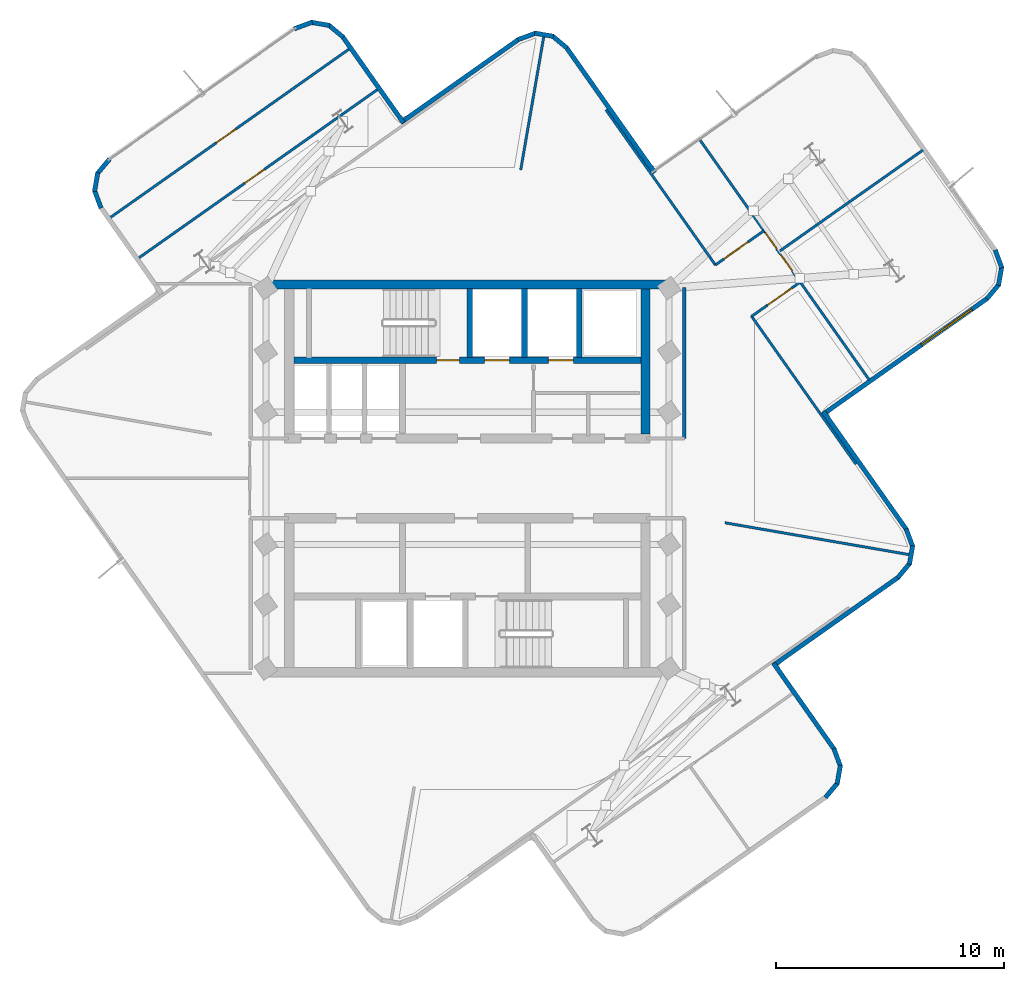
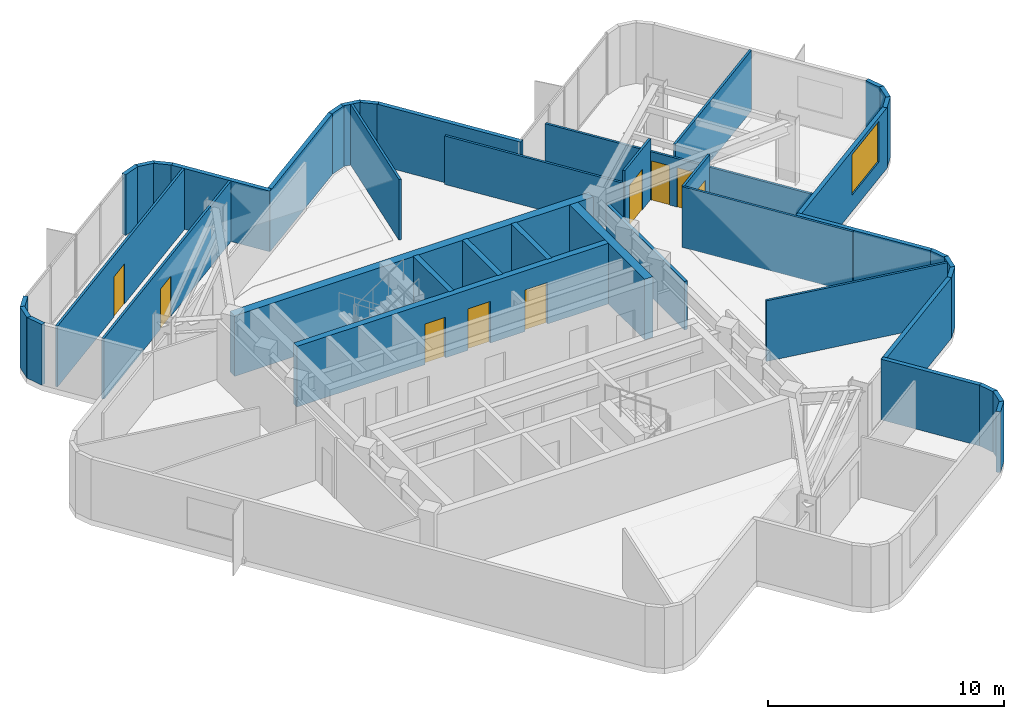
# One storey, part 5 of 8: 42 walls, 9 doors, 1 window, 10 openings.
"""IFC4 building model written with IfcOpenShell, lengths in metres."""

from ifc_helpers import new_model, si_unit, direction, frame, frame_2d, origin, place, context, subcontext, project, spatial, rectangle, extrude, material, layer, layer_set, type_object, element, fill, save


model = new_model("IFC4")

# Units and contexts
model_context = context("Model", 3, precision=1e-05, world=origin(), true_north=direction((0.0, 1.0)))
body_context = subcontext(model_context, "Body", "Model", "MODEL_VIEW")
ifc_project = project(units=[si_unit("LENGTHUNIT", "METRE"), si_unit("AREAUNIT", "SQUARE_METRE"), si_unit("VOLUMEUNIT", "CUBIC_METRE"), si_unit("PLANEANGLEUNIT", "RADIAN"), si_unit("MASSUNIT", "GRAM", prefix="KILO")], contexts=[model_context])

# Site, building, storey
site_placement = place(None, origin())
site = spatial("IfcSite", under=ifc_project, at=site_placement, CompositionType="ELEMENT")
building_placement = place(site_placement, origin())
building = spatial("IfcBuilding", under=site, at=building_placement, Name="Solmarez Civic Tower", CompositionType="ELEMENT")
storey_placement = place(building_placement, frame((0.0, 0.0, 225.719970703125)))
storey = spatial("IfcBuildingStorey", under=building, at=storey_placement, Name="L60", CompositionType="ELEMENT", Elevation=225.719970703125)

# Walls
ifc_material_1 = material(Name="Concrete C50/60", Category="concrete")
ifc_layer_1 = layer(ifc_material_1, 0.39990234375)
ifc_layer_set_1 = layer_set([ifc_layer_1], Name="Concrete C50/60")
wall_type_1 = type_object("IfcWallType", Name="WALL-CORE-400", PredefinedType="SHEAR", material=ifc_layer_set_1)
wall_1_placement = place(storey_placement, frame((-8.780029296875, 8.510009765625, 0.0), z_axis=(0.0, 0.0, 1.0), x_axis=(1.0, 0.0, 0.0)))
element("IfcWall", 1, at=wall_1_placement, inside=storey, type_object=wall_type_1, Name="L60 Split-Core Structural Wall NCW-N-L60", PredefinedType="SHEAR", context=body_context, shape_type="SweptSolid", body=[
    extrude(rectangle(XDim=17.56005859375, YDim=0.39990234375, at=frame_2d((8.780029296875, 0.0))), origin(), (0.0, 0.0, 1.0), 3.14013671875),
])
wall_2_placement = place(storey_placement, frame((7.820068359375, 8.31005859375, 0.0), z_axis=(0.0, 0.0, 1.0), x_axis=(0.0, -1.0, 0.0)))
element("IfcWall", 2, at=wall_2_placement, inside=storey, type_object=wall_type_1, Name="L60 Split-Core Structural Wall NCW-E-L60", PredefinedType="SHEAR", context=body_context, shape_type="SweptSolid", body=[
    extrude(rectangle(XDim=6.360107421875, YDim=0.39990234375, at=frame_2d((3.18017578125, 0.0))), origin(), (0.0, 0.0, 1.0), 3.14013671875),
])
ifc_material_2 = material(Name="Precast concrete C40/50", Category="concrete")
ifc_layer_2 = layer(ifc_material_2, 0.199951171875)
ifc_layer_set_2 = layer_set([ifc_layer_2], Name="Precast concrete C40/50")
wall_type_2 = type_object("IfcWallType", Name="WALL-EXT-200", PredefinedType="SOLIDWALL", material=ifc_layer_set_2)
wall_3_placement = place(storey_placement, frame((-16.083984375, 11.860107421875, 0.0), z_axis=(0.0, 0.0, 1.0), x_axis=(-0.346232030844, 0.938148911857, 0.0)))
element("IfcWall", 3, at=wall_3_placement, inside=storey, type_object=wall_type_2, Name="L60 Exterior Precast Wall 14", PredefinedType="SOLIDWALL", context=body_context, shape_type="SweptSolid", body=[
    extrude(rectangle(XDim=0.837646484375, YDim=0.199951171875, at=frame_2d((0.4189453125, 0.0))), origin(), (0.0, 0.0, 1.0), 3.14013671875),
])
wall_4_placement = place(storey_placement, frame((-16.368896484375, 12.597900390625, 0.0), z_axis=(0.0, 0.0, 1.0), x_axis=(0.169332910212, 0.985558910223, 0.0)))
element("IfcWall", 4, at=wall_4_placement, inside=storey, type_object=wall_type_2, Name="L60 Exterior Precast Wall 15", PredefinedType="SOLIDWALL", context=body_context, shape_type="SweptSolid", body=[
    extrude(rectangle(XDim=0.826171875, YDim=0.199951171875, at=frame_2d((0.4130859375, 0.0))), origin(), (0.0, 0.0, 1.0), 3.14013671875),
])
wall_5_placement = place(storey_placement, frame((-16.2490234375, 13.367919921875, 0.0), z_axis=(0.0, 0.0, 1.0), x_axis=(0.641043819012, 0.76750428149, 0.0)))
element("IfcWall", 5, at=wall_5_placement, inside=storey, type_object=wall_type_2, Name="L60 Exterior Precast Wall 16", PredefinedType="SOLIDWALL", context=body_context, shape_type="SweptSolid", body=[
    extrude(rectangle(XDim=0.837890625, YDim=0.199951171875, at=frame_2d((0.4189453125, 0.0))), origin(), (0.0, 0.0, 1.0), 3.14013671875),
])
wall_6_placement = place(storey_placement, frame((-7.60107421875, 19.73193359375, 0.0), z_axis=(0.0, 0.0, 1.0), x_axis=(0.937664324164, 0.347542249504, 0.0)))
element("IfcWall", 6, at=wall_6_placement, inside=storey, type_object=wall_type_2, Name="L60 Exterior Precast Wall 18", PredefinedType="SOLIDWALL", context=body_context, shape_type="SweptSolid", body=[
    extrude(rectangle(XDim=0.83740234375, YDim=0.199951171875, at=frame_2d((0.418701171875, 0.0))), origin(), (0.0, 0.0, 1.0), 3.14013671875),
])
wall_7_placement = place(storey_placement, frame((-6.864013671875, 20.01806640625, 0.0), z_axis=(0.0, 0.0, 1.0), x_axis=(0.985501046628, -0.16966934636, 0.0)))
element("IfcWall", 7, at=wall_7_placement, inside=storey, type_object=wall_type_2, Name="L60 Exterior Precast Wall 19", PredefinedType="SOLIDWALL", context=body_context, shape_type="SweptSolid", body=[
    extrude(rectangle(XDim=0.825927734375, YDim=0.199951171875, at=frame_2d((0.4130859375, 0.0))), origin(), (0.0, 0.0, 1.0), 3.14013671875),
])
wall_8_placement = place(storey_placement, frame((-6.093994140625, 19.89794921875, 0.0), z_axis=(0.0, 0.0, 1.0), x_axis=(0.767647650908, -0.640872127694, 0.0)))
element("IfcWall", 8, at=wall_8_placement, inside=storey, type_object=wall_type_2, Name="L60 Exterior Precast Wall 20", PredefinedType="SOLIDWALL", context=body_context, shape_type="SweptSolid", body=[
    extrude(rectangle(XDim=0.837646484375, YDim=0.199951171875, at=frame_2d((0.4189453125, 0.0))), origin(), (0.0, 0.0, 1.0), 3.14013671875),
])
wall_9_placement = place(storey_placement, frame((-5.48388671875, 19.39697265625, 0.0), z_axis=(0.0, 0.0, 1.0), x_axis=(0.576451897958, -0.817131084551, 0.0)))
element("IfcWall", 9, at=wall_9_placement, inside=storey, type_object=wall_type_2, Name="L60 Exterior Precast Wall 21", PredefinedType="SOLIDWALL", context=body_context, shape_type="SweptSolid", body=[
    extrude(rectangle(XDim=4.641845703125, YDim=0.199951171875, at=frame_2d((2.32080078125, 0.0))), origin(), (0.0, 0.0, 1.0), 3.14013671875),
])
wall_10_placement = place(storey_placement, frame((-2.9189453125, 15.623046875, 0.0), z_axis=(0.0, 0.0, 1.0), x_axis=(0.817050016192, 0.576566796686, 0.0)))
element("IfcWall", 10, at=wall_10_placement, inside=storey, type_object=wall_type_2, Name="L60 Exterior Precast Wall 24", PredefinedType="SOLIDWALL", context=body_context, shape_type="SweptSolid", body=[
    extrude(rectangle(XDim=6.341064453125, YDim=0.199951171875, at=frame_2d((3.17041015625, 0.0))), origin(), (0.0, 0.0, 1.0), 3.14013671875),
])
wall_11_placement = place(storey_placement, frame((2.218994140625, 19.256103515625, 0.0), z_axis=(0.0, 0.0, 1.0), x_axis=(0.938243551417, 0.345975487894, 0.0)))
element("IfcWall", 11, at=wall_11_placement, inside=storey, type_object=wall_type_2, Name="L60 Exterior Precast Wall 25", PredefinedType="SOLIDWALL", context=body_context, shape_type="SweptSolid", body=[
    extrude(rectangle(XDim=0.837646484375, YDim=0.199951171875, at=frame_2d((0.4189453125, 0.0))), origin(), (0.0, 0.0, 1.0), 3.14013671875),
])
wall_12_placement = place(storey_placement, frame((2.95703125, 19.541015625, 0.0), z_axis=(0.0, 0.0, 1.0), x_axis=(0.985466949497, -0.169867275979, 0.0)))
element("IfcWall", 12, at=wall_12_placement, inside=storey, type_object=wall_type_2, Name="L60 Exterior Precast Wall 26", PredefinedType="SOLIDWALL", context=body_context, shape_type="SweptSolid", body=[
    extrude(rectangle(XDim=0.824951171875, YDim=0.199951171875, at=frame_2d((0.41259765625, 0.0))), origin(), (0.0, 0.0, 1.0), 3.14013671875),
])
wall_13_placement = place(storey_placement, frame((3.72607421875, 19.4208984375, 0.0), z_axis=(0.0, 0.0, 1.0), x_axis=(0.768698761673, -0.639610986305, 0.0)))
element("IfcWall", 13, at=wall_13_placement, inside=storey, type_object=wall_type_2, Name="L60 Exterior Precast Wall 27", PredefinedType="SOLIDWALL", context=body_context, shape_type="SweptSolid", body=[
    extrude(rectangle(XDim=0.837890625, YDim=0.199951171875, at=frame_2d((0.4189453125, 0.0))), origin(), (0.0, 0.0, 1.0), 3.14013671875),
])
wall_14_placement = place(storey_placement, frame((4.3369140625, 18.9208984375, 0.0), z_axis=(0.0, 0.0, 1.0), x_axis=(0.576400163196, -0.817167578816, 0.0)))
element("IfcWall", 14, at=wall_14_placement, inside=storey, type_object=wall_type_2, Name="L60 Exterior Precast Wall 28", PredefinedType="SOLIDWALL", context=body_context, shape_type="SweptSolid", body=[
    extrude(rectangle(XDim=6.740234375, YDim=0.199951171875, at=frame_2d((3.3701171875, 0.0))), origin(), (0.0, 0.0, 1.0), 3.14013671875),
])
wall_15_placement = place(storey_placement, frame((23.1640625, 10.02197265625, 0.0), z_axis=(0.0, 0.0, 1.0), x_axis=(0.347637287427, -0.937629093187, 0.0)))
element("IfcWall", 15, at=wall_15_placement, inside=storey, type_object=wall_type_2, Name="L60 Exterior Precast Wall 36", PredefinedType="SOLIDWALL", context=body_context, shape_type="SweptSolid", body=[
    extrude(rectangle(XDim=0.837158203125, YDim=0.199951171875, at=frame_2d((0.41845703125, 0.0))), origin(), (0.0, 0.0, 1.0), 3.14013671875),
])
wall_16_placement = place(storey_placement, frame((23.449951171875, 9.284912109375, 0.0), z_axis=(0.0, 0.0, 1.0), x_axis=(-0.169382242965, -0.985550432889, 0.0)))
element("IfcWall", 16, at=wall_16_placement, inside=storey, type_object=wall_type_2, Name="L60 Exterior Precast Wall 37", PredefinedType="SOLIDWALL", context=body_context, shape_type="SweptSolid", body=[
    extrude(rectangle(XDim=0.825927734375, YDim=0.199951171875, at=frame_2d((0.4130859375, 0.0))), origin(), (0.0, 0.0, 1.0), 3.14013671875),
])
wall_17_placement = place(storey_placement, frame((23.330078125, 8.514892578125, 0.0), z_axis=(0.0, 0.0, 1.0), x_axis=(-0.641187201728, -0.767384500977, 0.0)))
element("IfcWall", 17, at=wall_17_placement, inside=storey, type_object=wall_type_2, Name="L60 Exterior Precast Wall 38", PredefinedType="SOLIDWALL", context=body_context, shape_type="SweptSolid", body=[
    extrude(rectangle(XDim=0.837646484375, YDim=0.199951171875, at=frame_2d((0.4189453125, 0.0))), origin(), (0.0, 0.0, 1.0), 3.14013671875),
])

# Wall, opening, window
wall_18_placement = place(storey_placement, frame((22.8291015625, 7.905029296875, 0.0), z_axis=(0.0, 0.0, 1.0), x_axis=(-0.817135410946, -0.576445765166, 0.0)))
wall_18 = element("IfcWall", 18, at=wall_18_placement, inside=storey, type_object=wall_type_2, Name="L60 Exterior Precast Wall 39", PredefinedType="SOLIDWALL", context=body_context, shape_type="SweptSolid", body=[
    extrude(rectangle(XDim=8.842041015625, YDim=0.199951171875, at=frame_2d((4.4208984375, 0.0))), origin(), (0.0, 0.0, 1.0), 3.14013671875),
])
opening_1_placement = place(wall_18_placement, frame((0.85009765625, 0.0, 0.85009765625)))
opening_1 = element("IfcOpeningElement", 19, at=opening_1_placement, cuts=wall_18, Name="Opening W-01", PredefinedType="OPENING", context=body_context, shape_type="SweptSolid", body=[
    extrude(rectangle(XDim=2.699951171875, YDim=2.10009765625, at=frame_2d((1.35009765625, 1.050048828125))), frame((0.0, 0.10986328125, 0.0), z_axis=(0.0, -1.0, 0.0), x_axis=(1.0, 0.0, 0.0)), (0.0, 0.0, 1.0), 0.219970703125),
])
ifc_material_3 = material(Name="Solar Control Bronze-Tinted Insulating Glass", Category="glass")
window_type = type_object("IfcWindowType", Name="WIN-2700X2100", PartitioningType="SINGLE_PANEL", PredefinedType="WINDOW", material=ifc_material_3)
window_placement = place(opening_1_placement, origin())
window = element("IfcWindow", 20, at=window_placement, inside=storey, type_object=window_type, Name="L60 Exterior Facade Window 39", OverallHeight=2.10009765625, OverallWidth=2.699951171875, PartitioningType="SINGLE_PANEL", PredefinedType="WINDOW", context=body_context, shape_type="SweptSolid", body=[
    extrude(rectangle(XDim=2.699951171875, YDim=2.10009765625, at=frame_2d((1.35009765625, 1.050048828125))), frame((0.0, 0.030029296875, 0.0), z_axis=(0.0, -1.0, 0.0), x_axis=(1.0, 0.0, 0.0)), (0.0, 0.0, 1.0), 0.06005859375),
])
fill(opening_1, window)

# Walls
wall_19_placement = place(storey_placement, frame((15.623046875, 2.9189453125, 0.0), z_axis=(0.0, 0.0, 1.0), x_axis=(0.576566796686, -0.817050016192, 0.0)))
element("IfcWall", 21, at=wall_19_placement, inside=storey, type_object=wall_type_2, Name="L60 Exterior Precast Wall 42", PredefinedType="SOLIDWALL", context=body_context, shape_type="SweptSolid", body=[
    extrude(rectangle(XDim=6.341064453125, YDim=0.199951171875, at=frame_2d((3.17041015625, 0.0))), origin(), (0.0, 0.0, 1.0), 3.14013671875),
])
wall_20_placement = place(storey_placement, frame((19.256103515625, -2.218994140625, 0.0), z_axis=(0.0, 0.0, 1.0), x_axis=(0.345975487894, -0.938243551417, 0.0)))
element("IfcWall", 22, at=wall_20_placement, inside=storey, type_object=wall_type_2, Name="L60 Exterior Precast Wall 43", PredefinedType="SOLIDWALL", context=body_context, shape_type="SweptSolid", body=[
    extrude(rectangle(XDim=0.837646484375, YDim=0.199951171875, at=frame_2d((0.4189453125, 0.0))), origin(), (0.0, 0.0, 1.0), 3.14013671875),
])
wall_21_placement = place(storey_placement, frame((19.541015625, -2.95703125, 0.0), z_axis=(0.0, 0.0, 1.0), x_axis=(-0.169867275979, -0.985466949497, 0.0)))
element("IfcWall", 23, at=wall_21_placement, inside=storey, type_object=wall_type_2, Name="L60 Exterior Precast Wall 44", PredefinedType="SOLIDWALL", context=body_context, shape_type="SweptSolid", body=[
    extrude(rectangle(XDim=0.824951171875, YDim=0.199951171875, at=frame_2d((0.41259765625, 0.0))), origin(), (0.0, 0.0, 1.0), 3.14013671875),
])
wall_22_placement = place(storey_placement, frame((19.4208984375, -3.72607421875, 0.0), z_axis=(0.0, 0.0, 1.0), x_axis=(-0.639610986305, -0.768698761673, 0.0)))
element("IfcWall", 24, at=wall_22_placement, inside=storey, type_object=wall_type_2, Name="L60 Exterior Precast Wall 45", PredefinedType="SOLIDWALL", context=body_context, shape_type="SweptSolid", body=[
    extrude(rectangle(XDim=0.837890625, YDim=0.199951171875, at=frame_2d((0.4189453125, 0.0))), origin(), (0.0, 0.0, 1.0), 3.14013671875),
])
wall_23_placement = place(storey_placement, frame((18.9208984375, -4.3369140625, 0.0), z_axis=(0.0, 0.0, 1.0), x_axis=(-0.817167578816, -0.576400163196, 0.0)))
element("IfcWall", 25, at=wall_23_placement, inside=storey, type_object=wall_type_2, Name="L60 Exterior Precast Wall 46", PredefinedType="SOLIDWALL", context=body_context, shape_type="SweptSolid", body=[
    extrude(rectangle(XDim=6.740234375, YDim=0.199951171875, at=frame_2d((3.3701171875, 0.0))), origin(), (0.0, 0.0, 1.0), 3.14013671875),
])
wall_24_placement = place(storey_placement, frame((13.431884765625, -8.111083984375, 0.0), z_axis=(0.0, 0.0, 1.0), x_axis=(0.576445639344, -0.817135499707, 0.0)))
element("IfcWall", 26, at=wall_24_placement, inside=storey, type_object=wall_type_2, Name="L60 Exterior Precast Wall 49", PredefinedType="SOLIDWALL", context=body_context, shape_type="SweptSolid", body=[
    extrude(rectangle(XDim=4.640625, YDim=0.199951171875, at=frame_2d((2.3203125, 0.0))), origin(), (0.0, 0.0, 1.0), 3.14013671875),
])
wall_25_placement = place(storey_placement, frame((16.083984375, -11.860107421875, 0.0), z_axis=(0.0, 0.0, 1.0), x_axis=(0.346232030844, -0.938148911857, 0.0)))
element("IfcWall", 27, at=wall_25_placement, inside=storey, type_object=wall_type_2, Name="L60 Exterior Precast Wall 50", PredefinedType="SOLIDWALL", context=body_context, shape_type="SweptSolid", body=[
    extrude(rectangle(XDim=0.837646484375, YDim=0.199951171875, at=frame_2d((0.4189453125, 0.0))), origin(), (0.0, 0.0, 1.0), 3.14013671875),
])
wall_26_placement = place(storey_placement, frame((16.368896484375, -12.597900390625, 0.0), z_axis=(0.0, 0.0, 1.0), x_axis=(-0.169332910212, -0.985558910223, 0.0)))
element("IfcWall", 28, at=wall_26_placement, inside=storey, type_object=wall_type_2, Name="L60 Exterior Precast Wall 51", PredefinedType="SOLIDWALL", context=body_context, shape_type="SweptSolid", body=[
    extrude(rectangle(XDim=0.826171875, YDim=0.199951171875, at=frame_2d((0.4130859375, 0.0))), origin(), (0.0, 0.0, 1.0), 3.14013671875),
])
wall_27_placement = place(storey_placement, frame((16.2490234375, -13.367919921875, 0.0), z_axis=(0.0, 0.0, 1.0), x_axis=(-0.641043819012, -0.76750428149, 0.0)))
element("IfcWall", 29, at=wall_27_placement, inside=storey, type_object=wall_type_2, Name="L60 Exterior Precast Wall 52", PredefinedType="SOLIDWALL", context=body_context, shape_type="SweptSolid", body=[
    extrude(rectangle(XDim=0.837890625, YDim=0.199951171875, at=frame_2d((0.4189453125, 0.0))), origin(), (0.0, 0.0, 1.0), 3.14013671875),
])
ifc_material_4 = material(Name="Gypsum Board Acoustic Steel-Stud Partition", Category="steel")
ifc_layer_3 = layer(ifc_material_4, 0.14990234375)
ifc_layer_set_3 = layer_set([ifc_layer_3], Name="Gypsum Board Acoustic Steel-Stud Partition")
wall_type_3 = type_object("IfcWallType", Name="WALL-INT-FIRE-150", PredefinedType="PARTITIONING", material=ifc_layer_set_3)
wall_28_placement = place(storey_placement, frame((9.52001953125, 1.75, 0.0), z_axis=(0.0, 0.0, 1.0), x_axis=(0.0, 1.0, 0.0)))
element("IfcWall", 30, at=wall_28_placement, inside=storey, type_object=wall_type_3, Name="L60 Interior Partition CHW-L60-EN1", PredefinedType="PARTITIONING", context=body_context, shape_type="SweptSolid", body=[
    extrude(rectangle(XDim=6.6298828125, YDim=0.14990234375, at=frame_2d((3.31494140625, 0.0))), origin(), (0.0, 0.0, 1.0), 2.510009765625),
])
ifc_layer_4 = layer(ifc_material_4, 0.110107421875)
ifc_layer_set_4 = layer_set([ifc_layer_4], Name="Gypsum Board Acoustic Steel-Stud Partition")
wall_type_4 = type_object("IfcWallType", Name="WALL-INT-PART-110", PredefinedType="PARTITIONING", material=ifc_layer_set_4)
wall_29_placement = place(storey_placement, frame((2.337890625, 13.5400390625, 0.0), z_axis=(0.0, 0.0, 1.0), x_axis=(0.1703339471, 0.9853863945, 0.0)))
element("IfcWall", 31, at=wall_29_placement, inside=storey, type_object=wall_type_4, Name="L60 Interior Partition PT-L60-QDIV-1", PredefinedType="PARTITIONING", context=body_context, shape_type="SweptSolid", body=[
    extrude(rectangle(XDim=5.953857421875, YDim=0.110107421875, at=frame_2d((2.97705078125, 0.0))), origin(), (0.0, 0.0, 1.0), 3.14013671875),
])
wall_30_placement = place(storey_placement, frame((11.300048828125, -1.950927734375, 0.0), z_axis=(0.0, 0.0, 1.0), x_axis=(0.985391330126, -0.170305391905, 0.0)))
element("IfcWall", 32, at=wall_30_placement, inside=storey, type_object=wall_type_4, Name="L60 Interior Partition PT-L60-QDIV-4", PredefinedType="PARTITIONING", context=body_context, shape_type="SweptSolid", body=[
    extrude(rectangle(XDim=8.22705078125, YDim=0.110107421875, at=frame_2d((4.113525390625, 0.0))), origin(), (0.0, 0.0, 1.0), 3.14013671875),
])
wall_31_placement = place(storey_placement, frame((10.886962890625, 9.35693359375, 0.0), z_axis=(0.0, 0.0, 1.0), x_axis=(-0.576423728743, 0.817150956031, 0.0)))
element("IfcWall", 33, at=wall_31_placement, inside=storey, type_object=wall_type_4, Name="L60 Interior Partition PT-L60-E-EFL", PredefinedType="PARTITIONING", context=body_context, shape_type="SweptSolid", body=[
    extrude(rectangle(XDim=8.349853515625, YDim=0.110107421875, at=frame_2d((4.1748046875, 0.0))), origin(), (0.0, 0.0, 1.0), 2.510009765625),
])
wall_32_placement = place(storey_placement, frame((17.049072265625, 0.62109375, 0.0), z_axis=(0.0, 0.0, 1.0), x_axis=(-0.57635038395, 0.817202689007, 0.0)))
element("IfcWall", 34, at=wall_32_placement, inside=storey, type_object=wall_type_4, Name="L60 Interior Partition PT-L60-E-EFR", PredefinedType="PARTITIONING", context=body_context, shape_type="SweptSolid", body=[
    extrude(rectangle(XDim=7.9501953125, YDim=0.110107421875, at=frame_2d((3.97509765625, 0.0))), origin(), (0.0, 0.0, 1.0), 3.14013671875),
])

# Wall, opening, door
wall_33_placement = place(storey_placement, frame((13.013916015625, 10.868896484375, 0.0), z_axis=(0.0, 0.0, 1.0), x_axis=(-0.817133808286, -0.576448036995, 0.0)))
wall_33 = element("IfcWall", 35, at=wall_33_placement, inside=storey, type_object=wall_type_4, Name="L60 Interior Partition PT-L60-E-SL", PredefinedType="PARTITIONING", context=body_context, shape_type="SweptSolid", body=[
    extrude(rectangle(XDim=2.60888671875, YDim=0.110107421875, at=frame_2d((1.304443359375, 0.0))), origin(), (0.0, 0.0, 1.0), 3.14013671875),
])
opening_2_placement = place(wall_33_placement, frame((0.85400390625, 0.0, 0.0)))
opening_2 = element("IfcOpeningElement", 36, at=opening_2_placement, cuts=wall_33, Name="Opening D-15", PredefinedType="OPENING", context=body_context, shape_type="SweptSolid", body=[
    extrude(rectangle(XDim=1.300048828125, YDim=2.10009765625, at=frame_2d((0.64990234375, 1.050048828125))), frame((0.0, 0.06494140625, 0.0), z_axis=(0.0, -1.0, 0.0), x_axis=(1.0, 0.0, 0.0)), (0.0, 0.0, 1.0), 0.130126953125),
])
ifc_material_5 = material(Name="Tribunal Hearing Conference Door", Category="wood")
door_type_1 = type_object("IfcDoorType", Name="DOOR-INT-1300", OperationType="NOTDEFINED", PredefinedType="DOOR", material=ifc_material_5)
door_1_placement = place(opening_2_placement, origin())
door_1 = element("IfcDoor", 37, at=door_1_placement, inside=storey, type_object=door_type_1, Name="L60 Citizen Consultation Room East Door", OperationType="SINGLE_SWING_LEFT", OverallHeight=2.10009765625, OverallWidth=1.300048828125, PredefinedType="DOOR", context=body_context, shape_type="SweptSolid", body=[
    extrude(rectangle(XDim=1.300048828125, YDim=2.10009765625, at=frame_2d((0.64990234375, 1.050048828125))), frame((0.0, 0.02490234375, 0.0), z_axis=(0.0, -1.0, 0.0), x_axis=(1.0, 0.0, 0.0)), (0.0, 0.0, 1.0), 0.050048828125),
])
fill(opening_2, door_1)

wall_34_placement = place(storey_placement, frame((12.471923828125, 7.110107421875, 0.0), z_axis=(0.0, 0.0, 1.0), x_axis=(0.81728919746, 0.576227704745, 0.0)))
wall_34 = element("IfcWall", 38, at=wall_34_placement, inside=storey, type_object=wall_type_4, Name="L60 Interior Partition PT-L60-E-SR", PredefinedType="PARTITIONING", context=body_context, shape_type="SweptSolid", body=[
    extrude(rectangle(XDim=2.60986328125, YDim=0.110107421875, at=frame_2d((1.304931640625, 0.0))), origin(), (0.0, 0.0, 1.0), 3.14013671875),
])
opening_3_placement = place(wall_34_placement, frame((0.85498046875, 0.0, 0.0)))
opening_3 = element("IfcOpeningElement", 39, at=opening_3_placement, cuts=wall_34, Name="Opening D-15", PredefinedType="OPENING", context=body_context, shape_type="SweptSolid", body=[
    extrude(rectangle(XDim=1.300048828125, YDim=2.10009765625, at=frame_2d((0.64990234375, 1.050048828125))), frame((0.0, 0.06494140625, 0.0), z_axis=(0.0, -1.0, 0.0), x_axis=(1.0, 0.0, 0.0)), (0.0, 0.0, 1.0), 0.130126953125),
])
door_2_placement = place(opening_3_placement, origin())
door_2 = element("IfcDoor", 40, at=door_2_placement, inside=storey, type_object=door_type_1, Name="L60 Policy Administration Office East Door", OperationType="SINGLE_SWING_RIGHT", OverallHeight=2.10009765625, OverallWidth=1.300048828125, PredefinedType="DOOR", context=body_context, shape_type="SweptSolid", body=[
    extrude(rectangle(XDim=1.300048828125, YDim=2.10009765625, at=frame_2d((0.64990234375, 1.050048828125))), frame((0.0, 0.02490234375, 0.0), z_axis=(0.0, -1.0, 0.0), x_axis=(1.0, 0.0, 0.0)), (0.0, 0.0, 1.0), 0.050048828125),
])
fill(opening_3, door_2)

# Wall
wall_35_placement = place(storey_placement, frame((13.715087890625, 9.98095703125, 0.0), z_axis=(0.0, 0.0, 1.0), x_axis=(0.817122118381, 0.576464607459, 0.0)))
element("IfcWall", 41, at=wall_35_placement, inside=storey, type_object=wall_type_4, Name="L60 Interior Partition PT-L60-E-TM", PredefinedType="PARTITIONING", context=body_context, shape_type="SweptSolid", body=[
    extrude(rectangle(XDim=7.674560546875, YDim=0.110107421875, at=frame_2d((3.83740234375, 0.0))), origin(), (0.0, 0.0, 1.0), 3.14013671875),
])

# Wall, openings, doors
wall_36_placement = place(storey_placement, frame((10.215087890625, 14.8359375, 0.0), z_axis=(0.0, 0.0, 1.0), x_axis=(0.576525296339, -0.817079300118, 0.0)))
wall_36 = element("IfcWall", 42, at=wall_36_placement, inside=storey, type_object=wall_type_4, Name="L60 Interior Partition PT-L60-E-END", PredefinedType="PARTITIONING", context=body_context, shape_type="SweptSolid", body=[
    extrude(rectangle(XDim=12.8701171875, YDim=0.110107421875, at=frame_2d((6.43505859375, 0.0))), origin(), (0.0, 0.0, 1.0), 2.510009765625),
])
opening_4_placement = place(wall_36_placement, frame((6.155029296875, 0.0, 0.0)))
opening_4 = element("IfcOpeningElement", 43, at=opening_4_placement, cuts=wall_36, Name="Opening D-14", PredefinedType="OPENING", context=body_context, shape_type="SweptSolid", body=[
    extrude(rectangle(XDim=0.860107421875, YDim=2.0400390625, at=frame_2d((0.43017578125, 1.02001953125))), frame((0.0, 0.06494140625, 0.0), z_axis=(0.0, -1.0, 0.0), x_axis=(1.0, 0.0, 0.0)), (0.0, 0.0, 1.0), 0.130126953125),
])
opening_5_placement = place(wall_36_placement, frame((4.955078125, 0.0, 0.0)))
opening_5 = element("IfcOpeningElement", 44, at=opening_5_placement, cuts=wall_36, Name="Opening D-14", PredefinedType="OPENING", context=body_context, shape_type="SweptSolid", body=[
    extrude(rectangle(XDim=0.860107421875, YDim=2.0400390625, at=frame_2d((0.43017578125, 1.02001953125))), frame((0.0, 0.06494140625, 0.0), z_axis=(0.0, -1.0, 0.0), x_axis=(1.0, 0.0, 0.0)), (0.0, 0.0, 1.0), 0.130126953125),
])
ifc_material_6 = material(Name="Timber Storage and Pantry Door", Category="wood")
door_type_2 = type_object("IfcDoorType", Name="DOOR-INT-850", OperationType="NOTDEFINED", PredefinedType="DOOR", material=ifc_material_6)
door_3_placement = place(opening_4_placement, origin())
door_3 = element("IfcDoor", 45, at=door_3_placement, inside=storey, type_object=door_type_2, Name="L60 Legal Counselling Room Sixth East Door", OperationType="SINGLE_SWING_RIGHT", OverallHeight=2.0400390625, OverallWidth=0.860107421875, PredefinedType="DOOR", context=body_context, shape_type="SweptSolid", body=[
    extrude(rectangle(XDim=0.860107421875, YDim=2.0400390625, at=frame_2d((0.43017578125, 1.02001953125))), frame((0.0, 0.02490234375, 0.0), z_axis=(0.0, -1.0, 0.0), x_axis=(1.0, 0.0, 0.0)), (0.0, 0.0, 1.0), 0.050048828125),
])
fill(opening_4, door_3)
door_4_placement = place(opening_5_placement, origin())
door_4 = element("IfcDoor", 46, at=door_4_placement, inside=storey, type_object=door_type_2, Name="L60 Directorate Office Fifth East Door", OperationType="SINGLE_SWING_LEFT", OverallHeight=2.0400390625, OverallWidth=0.860107421875, PredefinedType="DOOR", context=body_context, shape_type="SweptSolid", body=[
    extrude(rectangle(XDim=0.860107421875, YDim=2.0400390625, at=frame_2d((0.43017578125, 1.02001953125))), frame((0.0, 0.02490234375, 0.0), z_axis=(0.0, -1.0, 0.0), x_axis=(1.0, 0.0, 0.0)), (0.0, 0.0, 1.0), 0.050048828125),
])
fill(opening_5, door_4)

# Wall, opening, door
wall_37_placement = place(storey_placement, frame((-14.445068359375, 9.659912109375, 0.0), z_axis=(0.0, 0.0, 1.0), x_axis=(0.817137627016, 0.576442623784, 0.0)))
wall_37 = element("IfcWall", 47, at=wall_37_placement, inside=storey, type_object=wall_type_4, Name="L60 Interior Partition PT-L60-N-SC1", PredefinedType="PARTITIONING", context=body_context, shape_type="SweptSolid", body=[
    extrude(rectangle(XDim=12.87060546875, YDim=0.110107421875, at=frame_2d((6.435302734375, 0.0))), origin(), (0.0, 0.0, 1.0), 3.14013671875),
])
opening_6_placement = place(wall_37_placement, frame((5.7099609375, 0.0, 0.0)))
opening_6 = element("IfcOpeningElement", 48, at=opening_6_placement, cuts=wall_37, Name="Opening D-13", PredefinedType="OPENING", context=body_context, shape_type="SweptSolid", body=[
    extrude(rectangle(XDim=1.050048828125, YDim=2.080078125, at=frame_2d((0.52490234375, 1.0400390625))), frame((0.0, 0.06494140625, 0.0), z_axis=(0.0, -1.0, 0.0), x_axis=(1.0, 0.0, 0.0)), (0.0, 0.0, 1.0), 0.130126953125),
])
ifc_material_7 = material(Name="Timber Directorate Office Door", Category="wood")
door_type_3 = type_object("IfcDoorType", Name="DOOR-INT-1050", OperationType="NOTDEFINED", PredefinedType="DOOR", material=ifc_material_7)
door_5_placement = place(opening_6_placement, origin())
door_5 = element("IfcDoor", 49, at=door_5_placement, inside=storey, type_object=door_type_3, Name="L60 Directorate Office North Door", OperationType="SINGLE_SWING_LEFT", OverallHeight=2.080078125, OverallWidth=1.050048828125, PredefinedType="DOOR", context=body_context, shape_type="SweptSolid", body=[
    extrude(rectangle(XDim=1.050048828125, YDim=2.080078125, at=frame_2d((0.52490234375, 1.0400390625))), frame((0.0, 0.02490234375, 0.0), z_axis=(0.0, -1.0, 0.0), x_axis=(1.0, 0.0, 0.0)), (0.0, 0.0, 1.0), 0.050048828125),
])
fill(opening_6, door_5)

wall_38_placement = place(storey_placement, frame((-15.695068359375, 11.43310546875, 0.0), z_axis=(0.0, 0.0, 1.0), x_axis=(0.817121348165, 0.576465699216, 0.0)))
wall_38 = element("IfcWall", 50, at=wall_38_placement, inside=storey, type_object=wall_type_4, Name="L60 Interior Partition PT-L60-N-SC2", PredefinedType="PARTITIONING", context=body_context, shape_type="SweptSolid", body=[
    extrude(rectangle(XDim=12.86962890625, YDim=0.110107421875, at=frame_2d((6.434814453125, 0.0))), origin(), (0.0, 0.0, 1.0), 3.14013671875),
])
opening_7_placement = place(wall_38_placement, frame((5.708984375, 0.0, 0.0)))
opening_7 = element("IfcOpeningElement", 51, at=opening_7_placement, cuts=wall_38, Name="Opening D-13", PredefinedType="OPENING", context=body_context, shape_type="SweptSolid", body=[
    extrude(rectangle(XDim=1.050048828125, YDim=2.080078125, at=frame_2d((0.52490234375, 1.0400390625))), frame((0.0, 0.06494140625, 0.0), z_axis=(0.0, -1.0, 0.0), x_axis=(1.0, 0.0, 0.0)), (0.0, 0.0, 1.0), 0.130126953125),
])
door_6_placement = place(opening_7_placement, origin())
door_6 = element("IfcDoor", 52, at=door_6_placement, inside=storey, type_object=door_type_3, Name="L60 Citizen Consultation Room North Door", OperationType="SINGLE_SWING_RIGHT", OverallHeight=2.080078125, OverallWidth=1.050048828125, PredefinedType="DOOR", context=body_context, shape_type="SweptSolid", body=[
    extrude(rectangle(XDim=1.050048828125, YDim=2.080078125, at=frame_2d((0.52490234375, 1.0400390625))), frame((0.0, 0.02490234375, 0.0), z_axis=(0.0, -1.0, 0.0), x_axis=(1.0, 0.0, 0.0)), (0.0, 0.0, 1.0), 0.050048828125),
])
fill(opening_7, door_6)

# Wall, openings, doors
ifc_layer_5 = layer(ifc_material_1, 0.300048828125)
ifc_layer_set_5 = layer_set([ifc_layer_5], Name="Concrete C50/60")
wall_type_5 = type_object("IfcWallType", Name="WALL-STR-300", PredefinedType="SOLIDWALL", material=ifc_layer_set_5)
wall_39_placement = place(storey_placement, frame((7.6201171875, 5.179931640625, 0.0), z_axis=(0.0, 0.0, 1.0), x_axis=(-1.0, 0.0, 0.0)))
wall_39 = element("IfcWall", 53, at=wall_39_placement, inside=storey, type_object=wall_type_5, Name="L60 Split-Core Structural Wall NCW-M-L60", PredefinedType="SOLIDWALL", context=body_context, shape_type="SweptSolid", body=[
    extrude(rectangle(XDim=15.240234375, YDim=0.300048828125, at=frame_2d((7.6201171875, 0.0))), origin(), (0.0, 0.0, 1.0), 3.14013671875),
])
opening_8_placement = place(wall_39_placement, frame((5.77001953125, 0.0, 0.0)))
opening_8 = element("IfcOpeningElement", 54, at=opening_8_placement, cuts=wall_39, Name="Opening LD-02", PredefinedType="OPENING", context=body_context, shape_type="SweptSolid", body=[
    extrude(rectangle(XDim=1.10009765625, YDim=2.14990234375, at=frame_2d((0.550048828125, 1.074951171875))), frame((0.0, 0.159912109375, 0.0), z_axis=(0.0, -1.0, 0.0), x_axis=(1.0, 0.0, 0.0)), (0.0, 0.0, 1.0), 0.320068359375),
])
opening_9_placement = place(wall_39_placement, frame((2.969970703125, 0.0, 0.0)))
opening_9 = element("IfcOpeningElement", 55, at=opening_9_placement, cuts=wall_39, Name="Opening LD-03", PredefinedType="OPENING", context=body_context, shape_type="SweptSolid", body=[
    extrude(rectangle(XDim=1.10009765625, YDim=2.14990234375, at=frame_2d((0.550048828125, 1.074951171875))), frame((0.0, 0.159912109375, 0.0), z_axis=(0.0, -1.0, 0.0), x_axis=(1.0, 0.0, 0.0)), (0.0, 0.0, 1.0), 0.320068359375),
])
opening_10_placement = place(wall_39_placement, frame((7.969970703125, 0.0, 0.0)))
opening_10 = element("IfcOpeningElement", 56, at=opening_10_placement, cuts=wall_39, Name="Opening D-05", PredefinedType="OPENING", context=body_context, shape_type="SweptSolid", body=[
    extrude(rectangle(XDim=1.0, YDim=2.10009765625, at=frame_2d((0.5, 1.050048828125))), frame((0.0, 0.159912109375, 0.0), z_axis=(0.0, -1.0, 0.0), x_axis=(1.0, 0.0, 0.0)), (0.0, 0.0, 1.0), 0.320068359375),
])
ifc_material_8 = material(Name="Fire-Rated Stairwell Exit Door", Category="wood")
door_type_4 = type_object("IfcDoorType", Name="DOOR-FD90-1000", OperationType="NOTDEFINED", PredefinedType="DOOR", material=ifc_material_8)
door_7_placement = place(opening_10_placement, origin())
door_7 = element("IfcDoor", 57, at=door_7_placement, inside=storey, type_object=door_type_4, Name="L60 North Exit Stair Door ST-1", OperationType="SINGLE_SWING_LEFT", OverallHeight=2.10009765625, OverallWidth=1.0, PredefinedType="DOOR", context=body_context, shape_type="SweptSolid", body=[
    extrude(rectangle(XDim=1.0, YDim=2.10009765625, at=frame_2d((0.5, 1.050048828125))), frame((0.0, 0.02490234375, 0.0), z_axis=(0.0, -1.0, 0.0), x_axis=(1.0, 0.0, 0.0)), (0.0, 0.0, 1.0), 0.050048828125),
])
fill(opening_10, door_7)
ifc_material_9 = material(Name="Stainless Firefighting Lift Landing Sliding Door", Category="aluminium")
door_type_5 = type_object("IfcDoorType", Name="DOOR-LD-FF-1100", OperationType="DOUBLE_DOOR_SLIDING", PredefinedType="DOOR", material=ifc_material_9)
door_8_placement = place(opening_8_placement, origin())
door_8 = element("IfcDoor", 58, at=door_8_placement, inside=storey, type_object=door_type_5, Name="L60 Firefighting Lift Landing Door FFL-1", OperationType="DOUBLE_DOOR_SLIDING", OverallHeight=2.14990234375, OverallWidth=1.10009765625, PredefinedType="DOOR", context=body_context, shape_type="SweptSolid", body=[
    extrude(rectangle(XDim=1.10009765625, YDim=2.14990234375, at=frame_2d((0.550048828125, 1.074951171875))), frame((0.0, 0.02490234375, 0.0), z_axis=(0.0, -1.0, 0.0), x_axis=(1.0, 0.0, 0.0)), (0.0, 0.0, 1.0), 0.050048828125),
])
fill(opening_8, door_8)
ifc_material_10 = material(Name="Stainless Stretcher Lift Landing Sliding Door", Category="aluminium")
door_type_6 = type_object("IfcDoorType", Name="DOOR-LD-SV-1100", OperationType="DOUBLE_DOOR_SLIDING", PredefinedType="DOOR", material=ifc_material_10)
door_9_placement = place(opening_9_placement, origin())
door_9 = element("IfcDoor", 59, at=door_9_placement, inside=storey, type_object=door_type_6, Name="L60 Service Stretcher Lift Landing Door SVL-1", OperationType="DOUBLE_DOOR_SLIDING", OverallHeight=2.14990234375, OverallWidth=1.10009765625, PredefinedType="DOOR", context=body_context, shape_type="SweptSolid", body=[
    extrude(rectangle(XDim=1.10009765625, YDim=2.14990234375, at=frame_2d((0.550048828125, 1.074951171875))), frame((0.0, 0.02490234375, 0.0), z_axis=(0.0, -1.0, 0.0), x_axis=(1.0, 0.0, 0.0)), (0.0, 0.0, 1.0), 0.050048828125),
])
fill(opening_9, door_9)

# Walls
for number, where, z_axis, x_axis, name in (
    (60, (0.10009765625, 5.300048828125, 0.0), (0.0, 0.0, 1.0), (0.0, 1.0, 0.0), "L60 Split-Core Structural Wall SHW-N1-L60"),
    (61, (2.5, 5.300048828125, 0.0), (0.0, 0.0, 1.0), (0.0, 1.0, 0.0), "L60 Split-Core Structural Wall SHW-N2-L60"),
    (62, (4.89990234375, 5.300048828125, 0.0), (0.0, 0.0, 1.0), (0.0, 1.0, 0.0), "L60 Split-Core Structural Wall SHW-N3-L60"),
):
    element("IfcWall", number, at=place(storey_placement, frame(where, z_axis=z_axis, x_axis=x_axis)), inside=storey, type_object=wall_type_5, Name=name, PredefinedType="SOLIDWALL", context=body_context, shape_type="SweptSolid", body=[
        extrude(rectangle(XDim=3.0400390625, YDim=0.25, at=frame_2d((1.52001953125, 0.0))), origin(), (0.0, 0.0, 1.0), 3.14013671875),
    ])

save(model, "model.ifc")
